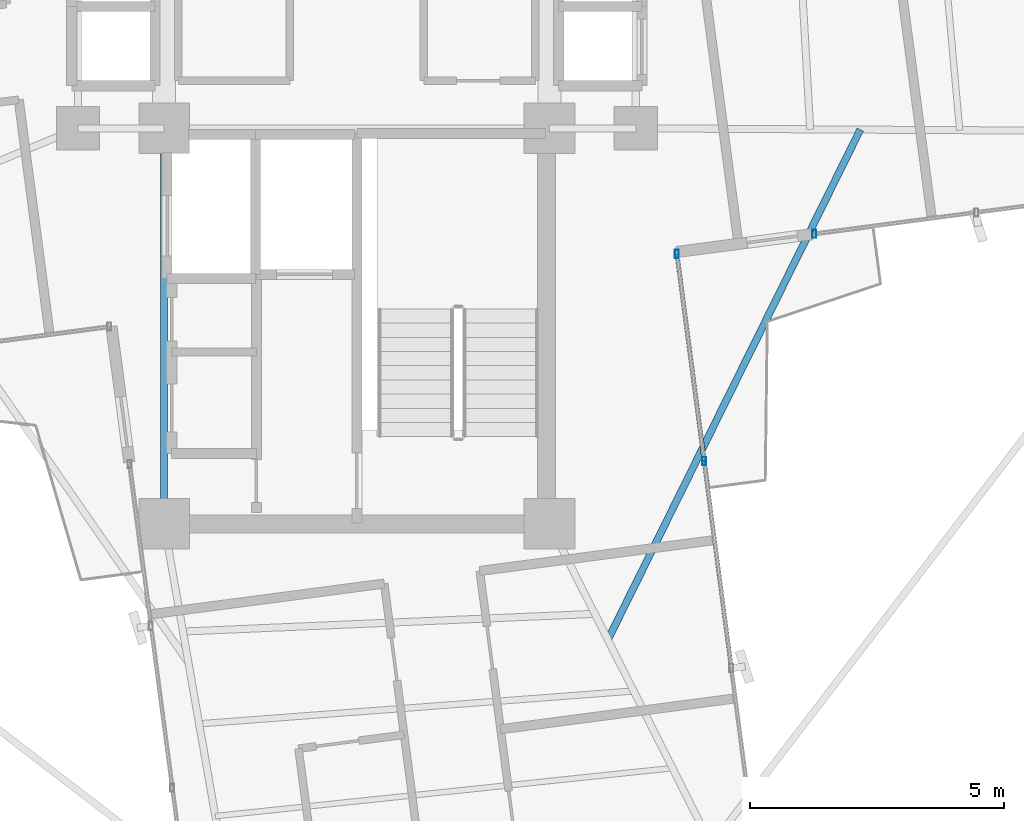
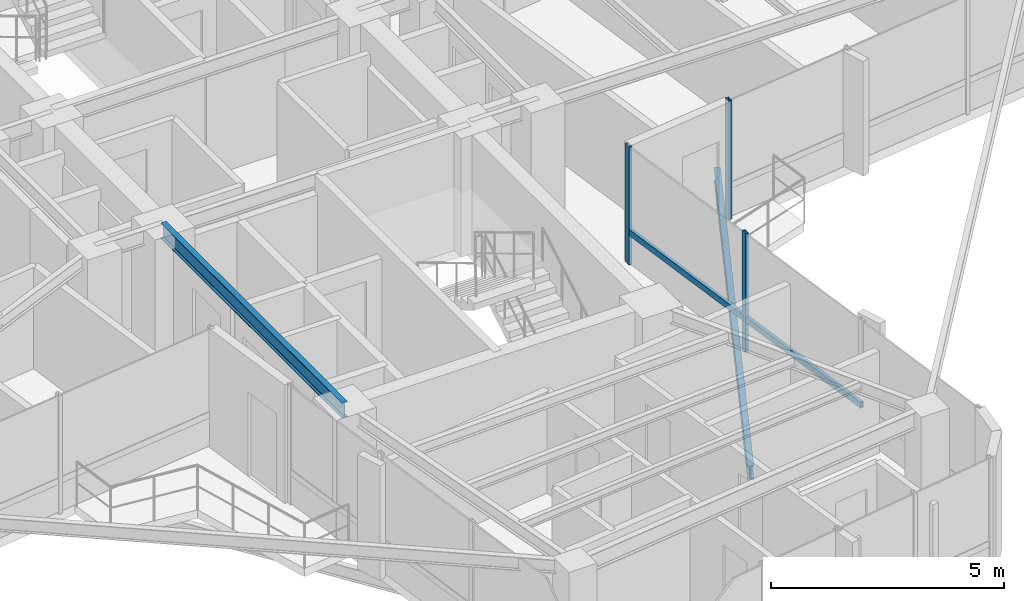
# One storey, part 5 of 22: 5 members, 2 beams, 2 elements without a shape of their own.
"""IFC4 building model written with IfcOpenShell, lengths in metres."""

from ifc_helpers import new_model, si_unit, direction, frame, origin, origin_2d, place, context, subcontext, project, spatial, hollow_rectangle, i_section, extrude, source, transform, mapped, material, material_profile, profile_set, type_object, element, aggregate, save


model = new_model("IFC4")

# Units and contexts
model_context = context("Model", 3, precision=1e-05, world=origin(), true_north=direction((0.0, 1.0)))
body_context = subcontext(model_context, "Body", "Model", "MODEL_VIEW")
ifc_project = project(units=[si_unit("LENGTHUNIT", "METRE"), si_unit("AREAUNIT", "SQUARE_METRE"), si_unit("VOLUMEUNIT", "CUBIC_METRE"), si_unit("PLANEANGLEUNIT", "RADIAN"), si_unit("MASSUNIT", "GRAM", prefix="KILO")], contexts=[model_context])

# Site, building, storey
site_placement = place(None, origin())
site = spatial("IfcSite", under=ifc_project, at=site_placement, CompositionType="ELEMENT")
building_placement = place(site_placement, origin())
building = spatial("IfcBuilding", under=site, at=building_placement, Name="Sahyath Konkavel Grand Hotel", CompositionType="ELEMENT")
storey_placement = place(building_placement, frame((0.0, 0.0, 241.14990234375)))
storey = spatial("IfcBuildingStorey", under=building, at=storey_placement, Name="L67", CompositionType="ELEMENT", Elevation=241.14990234375)

# Beam
ifc_material_1 = material(Name="Steel E350", Category="steel")
ifc_material_profile_1 = material_profile(ifc_material_1, i_section(OverallWidth=0.139892578125, OverallDepth=0.39990234375, WebThickness=0.0087890625, FlangeThickness=0.01611328125, FilletRadius=0.013916015625, at=origin_2d()), Name="ISMB 400")
ifc_profile_set_1 = profile_set([ifc_material_profile_1], Name="Steel E350")
beam_type_1 = type_object("IfcBeamType", Name="BM-ISMB400", PredefinedType="BEAM", material=ifc_profile_set_1)
shared_shape_1 = source(origin(), body_context, "Body", "SweptSolid", [
    extrude(i_section(OverallWidth=0.139892578125, OverallDepth=0.39990234375, WebThickness=0.0087890625, FlangeThickness=0.01611328125, FilletRadius=0.013916015625, at=origin_2d()), origin(), (0.0, 0.0, 1.0), 7.800048828125),
])
beam_1_placement = place(storey_placement, frame((-3.800048828125, -10.199951171875, 2.91015625), z_axis=(0.0, 1.0, 0.0), x_axis=(-1.0, 0.0, 0.0)))
element("IfcBeam", 1, at=beam_1_placement, inside=storey, type_object=beam_type_1, Name="str:bm:L67:SC-W", PredefinedType="BEAM", context=body_context, shape_type="MappedRepresentation", body=[
    mapped(shared_shape_1, transform((0.0, 0.0, 0.0), scale=1.0)),
])

# Curtain wall, member
ifc_material_2 = material(Name="Anodised Bronze Aluminium & Low-E Glazing", Category="aluminium")
curtain_wall_type = type_object("IfcCurtainWallType", Name="CW-ZONE4", PredefinedType="NOTDEFINED", material=ifc_material_2)
curtain_wall_1_placement = place(storey_placement, origin())
curtain_wall_1 = element("IfcCurtainWall", 2, at=curtain_wall_1_placement, inside=storey, type_object=curtain_wall_type, Name="L67 Unitised Curtain Wall F0", PredefinedType="NOTDEFINED")
ifc_material_3 = material(Name="Anodised Bronze Aluminium", Category="aluminium")
ifc_material_profile_2 = material_profile(ifc_material_3, hollow_rectangle(XDim=0.080078125, YDim=0.159912109375, WallThickness=0.006103515625, at=origin_2d()), Name="RHS 160x80x6")
ifc_profile_set_2 = profile_set([ifc_material_profile_2], Name="Anodised Bronze Aluminium")
member_type_1 = type_object("IfcMemberType", Name="CW-MUL-160", PredefinedType="MULLION", material=ifc_profile_set_2)
shared_shape_2 = source(origin(), body_context, "Body", "SweptSolid", [
    extrude(hollow_rectangle(XDim=0.080078125, YDim=0.159912109375, WallThickness=0.006103515625, at=origin_2d()), origin(), (0.0, 0.0, 1.0), 3.110107421875),
])
member_1_placement = place(storey_placement, frame((9.023193359375, -4.481689453125, 0.0), z_axis=(0.0, 0.0, 1.0), x_axis=(1.0, 0.0, 0.0)))
member_1 = element("IfcMember", 3, at=member_1_placement, type_object=member_type_1, Name="L67 Curtain Wall Mullion F0-0", PredefinedType="MULLION", context=body_context, shape_type="MappedRepresentation", body=[
    mapped(shared_shape_2, transform((0.0, 0.0, 0.0), scale=1.0)),
])
aggregate(curtain_wall_1, [member_1])

# Curtain wall, members
curtain_wall_2_placement = place(storey_placement, origin())
curtain_wall_2 = element("IfcCurtainWall", 4, at=curtain_wall_2_placement, inside=storey, type_object=curtain_wall_type, Name="L67 Unitised Curtain Wall F31", PredefinedType="NOTDEFINED")
member_2_placement = place(storey_placement, frame((6.849365234375, -8.96240234375, 0.0), z_axis=(0.0, 0.0, 1.0), x_axis=(1.0, 0.0, 0.0)))
member_2 = element("IfcMember", 5, at=member_2_placement, type_object=member_type_1, Name="L67 Curtain Wall Mullion F31-2", PredefinedType="MULLION", context=body_context, shape_type="MappedRepresentation", body=[
    mapped(shared_shape_2, transform((0.0, 0.0, 0.0), scale=1.0)),
])
member_3_placement = place(storey_placement, frame((6.311767578125, -4.87890625, 0.0), z_axis=(0.0, 0.0, 1.0), x_axis=(1.0, 0.0, 0.0)))
member_3 = element("IfcMember", 6, at=member_3_placement, type_object=member_type_1, Name="L67 Curtain Wall Mullion F31-3", PredefinedType="MULLION", context=body_context, shape_type="MappedRepresentation", body=[
    mapped(shared_shape_2, transform((0.0, 0.0, 0.0), scale=1.0)),
])
ifc_material_profile_3 = material_profile(ifc_material_3, hollow_rectangle(XDim=0.080078125, YDim=0.159912109375, WallThickness=0.006103515625, at=origin_2d()), Name="RHS 160x80x6")
ifc_profile_set_3 = profile_set([ifc_material_profile_3], Name="Anodised Bronze Aluminium")
member_type_2 = type_object("IfcMemberType", Name="CW-TRN-160", PredefinedType="USERDEFINED", material=ifc_profile_set_3)
shared_shape_3 = source(origin(), body_context, "Body", "SweptSolid", [
    extrude(hollow_rectangle(XDim=0.080078125, YDim=0.159912109375, WallThickness=0.006103515625, at=origin_2d()), origin(), (0.0, 0.0, 1.0), 4.11865234375),
])
member_4_placement = place(storey_placement, frame((6.849365234375, -8.96240234375, 0.85009765625), z_axis=(-0.130525045861, 0.991445012294, 0.0), x_axis=(-0.991445012294, -0.130525045861, 0.0)))
member_4 = element("IfcMember", 7, at=member_4_placement, type_object=member_type_2, Name="L67 Curtain Wall Transom F31-2-spandrel", ObjectType="TRANSOM", PredefinedType="USERDEFINED", context=body_context, shape_type="MappedRepresentation", body=[
    mapped(shared_shape_3, transform((0.0, 0.0, 0.0), scale=1.0)),
])
shared_shape_4 = source(origin(), body_context, "Body", "SweptSolid", [
    extrude(hollow_rectangle(XDim=0.080078125, YDim=0.159912109375, WallThickness=0.006103515625, at=origin_2d()), origin(), (0.0, 0.0, 1.0), 4.118408203125),
])
member_5_placement = place(storey_placement, frame((7.386962890625, -13.045654296875, 0.85009765625), z_axis=(-0.130532717079, 0.991444002338, 0.0), x_axis=(-0.991444002338, -0.130532717079, 0.0)))
member_5 = element("IfcMember", 8, at=member_5_placement, type_object=member_type_2, Name="L67 Curtain Wall Transom F31-1-spandrel", ObjectType="TRANSOM", PredefinedType="USERDEFINED", context=body_context, shape_type="MappedRepresentation", body=[
    mapped(shared_shape_4, transform((0.0, 0.0, 0.0), scale=1.0)),
])
aggregate(curtain_wall_2, [member_2, member_3, member_5, member_4])

# Beam
ifc_material_profile_4 = material_profile(ifc_material_1, i_section(OverallWidth=0.139892578125, OverallDepth=0.35009765625, WebThickness=0.008056640625, FlangeThickness=0.01416015625, FilletRadius=0.013916015625, at=origin_2d()), Name="ISMB 350")
ifc_profile_set_4 = profile_set([ifc_material_profile_4], Name="Steel E350")
beam_type_2 = type_object("IfcBeamType", Name="BM-BALC-CANT", PredefinedType="BEAM", material=ifc_profile_set_4)
shared_shape_5 = source(origin(), body_context, "Body", "SweptSolid", [
    extrude(i_section(OverallWidth=0.139892578125, OverallDepth=0.35009765625, WebThickness=0.008056640625, FlangeThickness=0.01416015625, FilletRadius=0.013916015625, at=origin_2d()), origin(), (0.0, 0.0, 1.0), 11.22265625),
])
beam_2_placement = place(storey_placement, frame((4.9501953125, -12.485595703125, -0.414794921875), z_axis=(0.443398164449, 0.896324755746, 0.0), x_axis=(-0.896324755746, 0.443398164449, 0.0)))
element("IfcBeam", 9, at=beam_2_placement, inside=storey, type_object=beam_type_2, Name="L67 Balcony Cantilever Support Beam SE", PredefinedType="BEAM", context=body_context, shape_type="MappedRepresentation", body=[
    mapped(shared_shape_5, transform((0.0, 0.0, 0.0), scale=1.0)),
])

save(model, "model.ifc")
